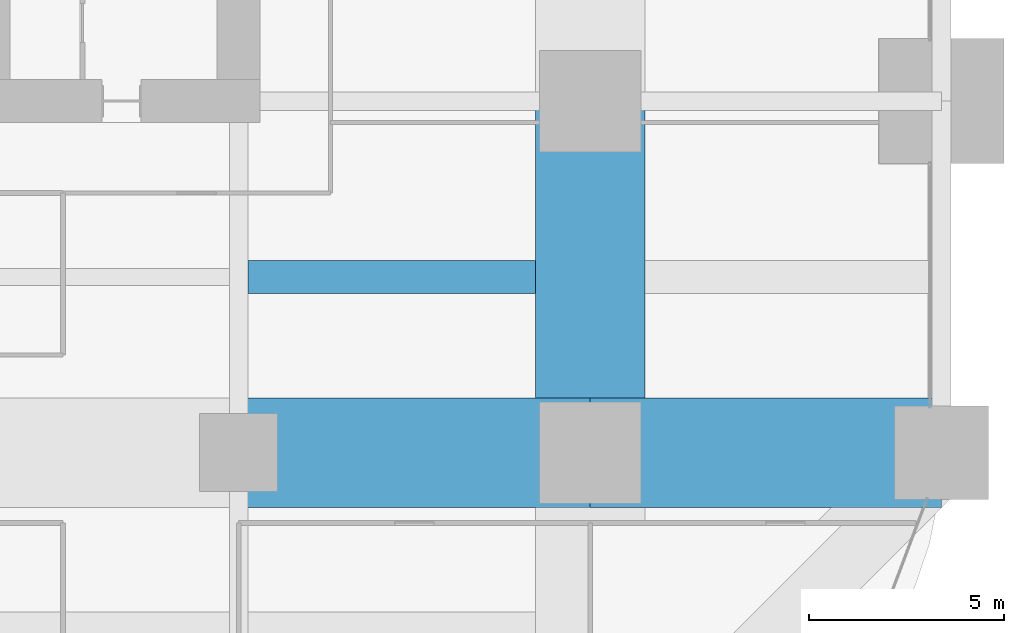
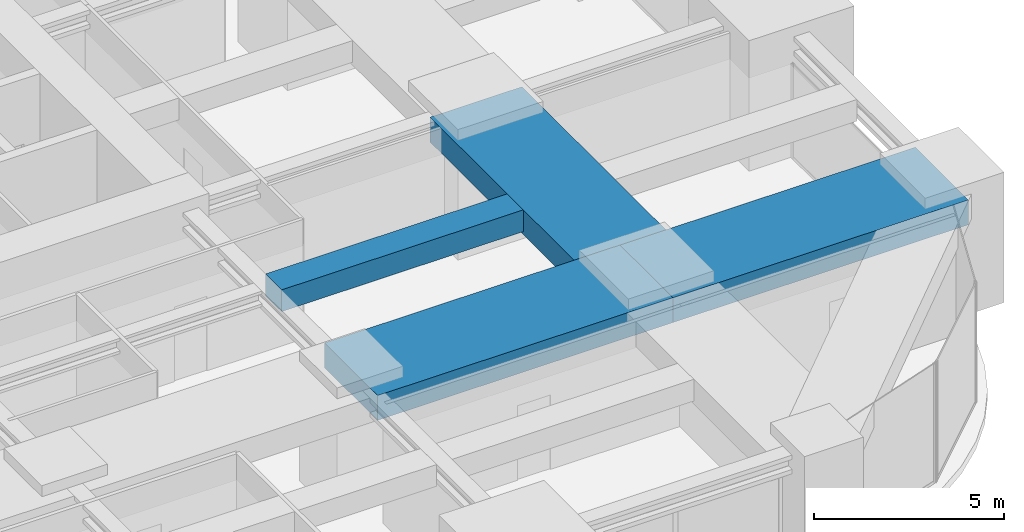
# One storey, part 21 of 45: 4 beams.
"""IFC4 building model written with IfcOpenShell, lengths in metres."""

from ifc_helpers import new_model, si_unit, direction, frame, origin, origin_2d, place, context, subcontext, project, spatial, rectangle, extrude, material, material_profile, profile_set, type_object, element, save


model = new_model("IFC4")

# Units and contexts
model_context = context("Model", 3, precision=1e-05, world=origin(), true_north=direction((0.0, 1.0)))
body_context = subcontext(model_context, "Body", "Model", "MODEL_VIEW")
ifc_project = project(units=[si_unit("LENGTHUNIT", "METRE"), si_unit("AREAUNIT", "SQUARE_METRE"), si_unit("VOLUMEUNIT", "CUBIC_METRE"), si_unit("PLANEANGLEUNIT", "RADIAN"), si_unit("MASSUNIT", "GRAM", prefix="KILO")], contexts=[model_context])

# Site, building, storey
site_placement = place(None, origin())
site = spatial("IfcSite", under=ifc_project, at=site_placement, CompositionType="ELEMENT")
building_placement = place(site_placement, origin())
building = spatial("IfcBuilding", under=site, at=building_placement, Name="Zorevar Civic Tower", CompositionType="ELEMENT")
storey_placement = place(building_placement, frame((0.0, 0.0, 153.0)))
storey = spatial("IfcBuildingStorey", under=building, at=storey_placement, Name="L37", CompositionType="ELEMENT", Elevation=153.0)

# Beams
ifc_material_1 = material(Name="Concrete C50/60", Category="concrete")
ifc_material_profile_1 = material_profile(ifc_material_1, rectangle(XDim=2.800048828125, YDim=0.800048828125, at=origin_2d()), Name="RC 2800x800")
ifc_profile_set_1 = profile_set([ifc_material_profile_1], Name="Concrete C50/60")
beam_type_1 = type_object("IfcBeamType", Name="Beam RC 2800x800", PredefinedType="BEAM", material=ifc_profile_set_1)
for number, where, z_axis, x_axis, name in (
    (1, (45.0, 9.0, 3.449951171875), (1.0, 0.0, 0.0), (0.0, 1.0, 0.0), "Girder L38"),
    (2, (54.0, 9.0, 3.449951171875), (1.0, 0.0, 0.0), (0.0, 1.0, 0.0), "Girder L38"),
    (3, (54.0, 9.0, 3.449951171875), (0.0, 1.0, 0.0), (-1.0, 0.0, 0.0), "Girder L38"),
):
    element("IfcBeam", number, at=place(storey_placement, frame(where, z_axis=z_axis, x_axis=x_axis)), inside=storey, type_object=beam_type_1, Name=name, PredefinedType="BEAM", context=body_context, shape_type="SweptSolid", body=[
        extrude(rectangle(XDim=2.800048828125, YDim=0.800048828125, at=origin_2d()), origin(), (0.0, 0.0, 1.0), 9.0),
    ])
ifc_material_2 = material(Name="Concrete C50/60", Category="concrete")
ifc_material_profile_2 = material_profile(ifc_material_2, rectangle(XDim=0.85009765625, YDim=0.699951171875, at=origin_2d()), Name="RC 850x700")
ifc_profile_set_2 = profile_set([ifc_material_profile_2], Name="Concrete C50/60")
beam_type_2 = type_object("IfcBeamType", Name="Beam RC 850x700", PredefinedType="BEAM", material=ifc_profile_set_2)
beam_placement = place(storey_placement, frame((45.238037109375, 13.5, 3.5), z_axis=(1.0, 0.0, 0.0), x_axis=(0.0, 1.0, 0.0)))
element("IfcBeam", 4, at=beam_placement, inside=storey, type_object=beam_type_2, Name="Secondary beam L38", PredefinedType="BEAM", context=body_context, shape_type="SweptSolid", body=[
    extrude(rectangle(XDim=0.85009765625, YDim=0.699951171875, at=origin_2d()), origin(), (0.0, 0.0, 1.0), 7.362060546875),
])

save(model, "model.ifc")
